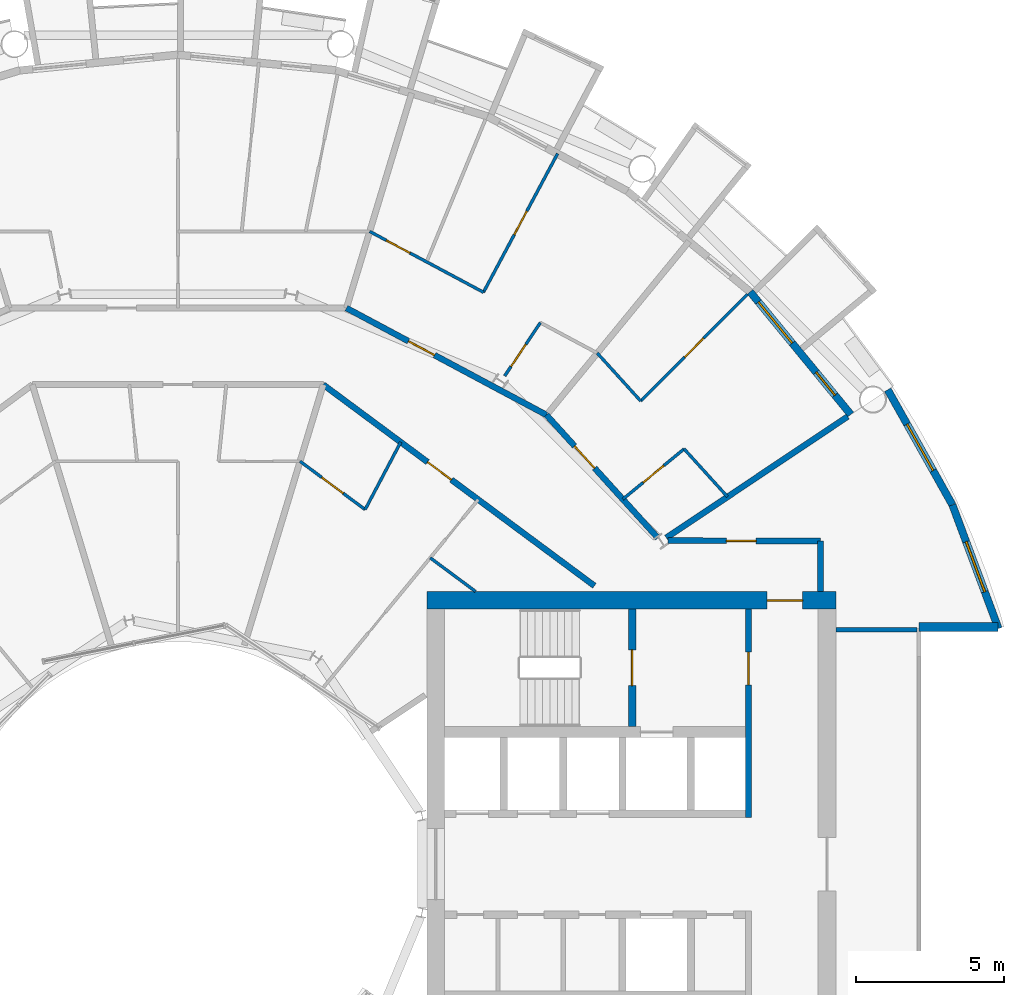
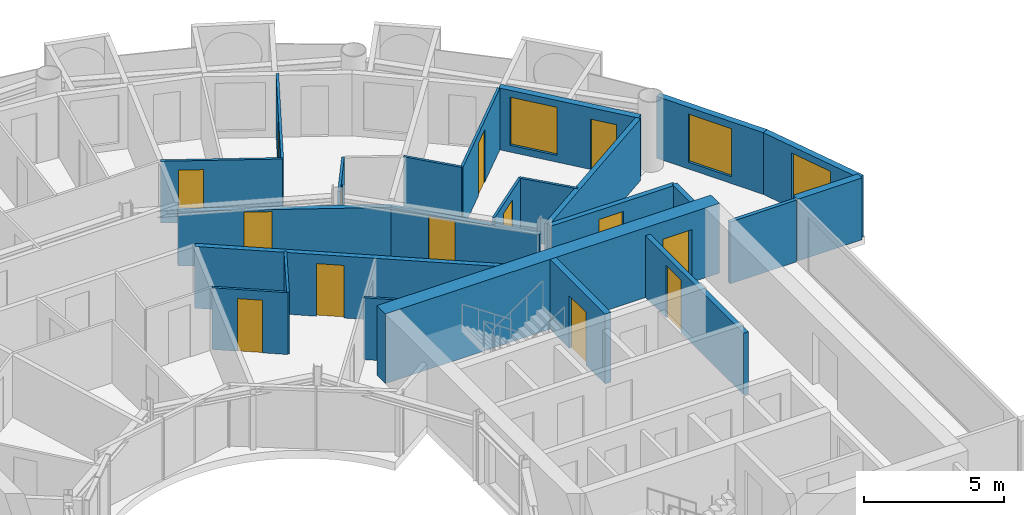
# One storey, part 22 of 27: 24 walls, 14 doors, 3 windows, 17 openings.
"""IFC4 building model written with IfcOpenShell, lengths in metres."""

import ifcopenshell
import ifcopenshell.guid

model = None  # the IFC model being written
_history = None  # IfcOwnerHistory: only IFC2X3 demands one
_inside = {}  # id of a spatial element -> (the spatial element, [elements in it])
_under = {}  # id of a project, library or spatial element -> (it, [spatial elements below it])
_declared = {}  # id of a project -> (the project, [libraries it declares])
_typed = {}  # id of a type object -> (the type object, [elements of that type])
_made_of = {}  # id of a material, layer set ... -> (it, [elements and type objects made of it])


def new_model(schema):
    """Start an empty IFC model of exactly this schema.

    Asked for "IFC4X3", IfcOpenShell would pick the latest addendum, in which some entities
    have other attributes; the version numbers below select the first issue.
    IFC2X3 requires an IfcOwnerHistory on every rooted entity: one is made here for all.
    """
    global model, _history
    if schema == "IFC4X3":
        model = ifcopenshell.file(schema_version=(4, 3, 0, 0))
    else:
        model = ifcopenshell.file(schema=schema)
    _inside.clear()
    _under.clear()
    _declared.clear()
    _typed.clear()
    _made_of.clear()
    _history = None
    if model.schema == "IFC2X3":
        org = make("IfcOrganization", Name="unknown")
        user = make(
            "IfcPersonAndOrganization",
            ThePerson=make("IfcPerson", FamilyName="unknown"),
            TheOrganization=org,
        )
        app = make(
            "IfcApplication",
            ApplicationDeveloper=org,
            Version="unknown",
            ApplicationFullName="unknown",
            ApplicationIdentifier="unknown",
        )
        _history = make(
            "IfcOwnerHistory",
            OwningUser=user,
            OwningApplication=app,
            ChangeAction="ADDED",
            CreationDate=0,
        )
    return model


def make(cls, **values):
    """One entity of the class cls with the attributes given. An attribute that is None is left unset."""
    return model.create_entity(
        cls, **{name: value for name, value in values.items() if value is not None}
    )


def rooted(cls, **values):
    """An entity with a GlobalId (a new one), such as an element, a storey or a relation."""
    return make(cls, GlobalId=ifcopenshell.guid.new(), OwnerHistory=_history, **values)


def si_unit(unit_type, name, prefix=None):
    """IfcSIUnit, for example si_unit("LENGTHUNIT", "METRE", prefix="MILLI")."""
    return make("IfcSIUnit", UnitType=unit_type, Prefix=prefix, Name=name)


def assignment(units):
    """IfcUnitAssignment: the units of a project."""
    return None if units is None else make("IfcUnitAssignment", Units=units)


def point(xyz):
    """IfcCartesianPoint."""
    return None if xyz is None else make("IfcCartesianPoint", Coordinates=xyz)


def direction(xyz):
    """IfcDirection."""
    return None if xyz is None else make("IfcDirection", DirectionRatios=xyz)


def frame(location, z_axis=None, x_axis=None):
    """IfcAxis2Placement3D, a coordinate frame: its origin and axes. An axis left out is left unset."""
    return make(
        "IfcAxis2Placement3D",
        Location=point(location),
        Axis=direction(z_axis),
        RefDirection=direction(x_axis),
    )


def frame_2d(location, x_axis=None):
    """IfcAxis2Placement2D, a coordinate frame in the plane: its origin and x axis."""
    return make(
        "IfcAxis2Placement2D", Location=point(location), RefDirection=direction(x_axis)
    )


def origin():
    """The frame at (0, 0, 0) with its axes left unset."""
    return frame((0.0, 0.0, 0.0))


def place(relative_to, where):
    """IfcLocalPlacement: puts the frame where relative to a parent placement (None: the world)."""
    return make(
        "IfcLocalPlacement", PlacementRelTo=relative_to, RelativePlacement=where
    )


def context(
    kind, dimensions, precision=None, world=None, true_north=None, identifier=None
):
    """IfcGeometricRepresentationContext, for example the 3D "Model" context."""
    return make(
        "IfcGeometricRepresentationContext",
        ContextIdentifier=identifier,
        ContextType=kind,
        CoordinateSpaceDimension=dimensions,
        Precision=precision,
        WorldCoordinateSystem=world,
        TrueNorth=true_north,
    )


def subcontext(parent, identifier, kind, view, scale=None):
    """IfcGeometricRepresentationSubContext, for example "Body" below "Model"."""
    return make(
        "IfcGeometricRepresentationSubContext",
        ContextIdentifier=identifier,
        ContextType=kind,
        ParentContext=parent,
        TargetScale=scale,
        TargetView=view,
    )


def project(units=None, contexts=None):
    """IfcProject with its units and contexts."""
    return rooted(
        "IfcProject",
        Name="project",
        RepresentationContexts=contexts,
        UnitsInContext=assignment(units),
    )


def spatial(cls, under=None, at=None, **own):
    """A site, building, storey or space (cls), placed at a placement, below another one or the project."""
    s = rooted(cls, ObjectPlacement=at, **own)
    if under is not None:
        _under.setdefault(under.id(), (under, []))[1].append(s)
    return s


def profile(cls, at=None, kind="AREA", **sizes):
    """A parametric profile (cls). Its sizes go by their IFC names, for example OverallWidth=200.0."""
    return make(cls, ProfileType=kind, Position=at, **sizes)


def rectangle(**sizes):
    """IfcRectangleProfileDef."""
    return profile("IfcRectangleProfileDef", **sizes)


def extrude(swept, where, along, depth):
    """IfcExtrudedAreaSolid: the profile swept, set in the frame where, extruded along a direction by depth."""
    return make(
        "IfcExtrudedAreaSolid",
        SweptArea=swept,
        Position=where,
        ExtrudedDirection=direction(along),
        Depth=depth,
    )


def shape(context_of_items, identifier, shape_type, items):
    """IfcShapeRepresentation: the items that make up one representation, for example the "Body"."""
    return make(
        "IfcShapeRepresentation",
        ContextOfItems=context_of_items,
        RepresentationIdentifier=identifier,
        RepresentationType=shape_type,
        Items=items,
    )


def material(Name=None, Category=None):
    """IfcMaterial."""
    return make("IfcMaterial", Name=Name, Category=Category)


def layer(
    of_material, thickness, ventilated=None, Name=None, Category=None, Priority=None
):
    """IfcMaterialLayer: one layer of a wall or slab, of a material (None: an air gap)."""
    return make(
        "IfcMaterialLayer",
        Material=of_material,
        LayerThickness=thickness,
        IsVentilated=ventilated,
        Name=Name,
        Category=Category,
        Priority=Priority,
    )


def layer_set(layers, Name=None):
    """IfcMaterialLayerSet."""
    return make("IfcMaterialLayerSet", MaterialLayers=layers, LayerSetName=Name)


def made_of(thing, what):
    """Note that an element or type object is made of a material, layer set ...; save() writes the relation."""
    if what is not None:
        _made_of.setdefault(what.id(), (what, []))[1].append(thing)
    return thing


def type_object(cls, material=None, **own):
    """A type object (cls), such as IfcWallType, which elements share."""
    return made_of(rooted(cls, **own), material)


def element(
    cls,
    number,
    at=None,
    inside=None,
    cuts=None,
    type_object=None,
    material=None,
    context=None,
    identifier="Body",
    shape_type=None,
    held_by="IfcProductDefinitionShape",
    body=None,
    shapes=None,
    **own,
):
    """One element of the class cls, such as IfcWall. Its Tag is "e" and its number.

    at: its placement. inside: the storey or other place that contains it. cuts: it is an
    opening in that element (IfcRelVoidsElement). A single representation is given by context,
    identifier, shape_type and body (its items); several are given by shapes. held_by: the class
    of the entity that holds the representations. save() writes the other relations.
    """
    e = rooted(cls, Tag="e%d" % number, ObjectPlacement=at, **own)
    if body is not None:
        shapes = [shape(context, identifier, shape_type, body)]
    if shapes is not None:
        e.Representation = make(held_by, Representations=shapes)
    if inside is not None:
        _inside.setdefault(inside.id(), (inside, []))[1].append(e)
    if cuts is not None:
        rooted(
            "IfcRelVoidsElement", RelatingBuildingElement=cuts, RelatedOpeningElement=e
        )
    if type_object is not None:
        _typed.setdefault(type_object.id(), (type_object, []))[1].append(e)
    return made_of(e, material)


def fill(opening, filler):
    """IfcRelFillsElement: the door or window that sits in an opening."""
    return rooted(
        "IfcRelFillsElement",
        RelatingOpeningElement=opening,
        RelatedBuildingElement=filler,
    )


def aggregate(whole, parts):
    """IfcRelAggregates: a whole, such as a stair, and the parts it consists of."""
    return rooted("IfcRelAggregates", RelatingObject=whole, RelatedObjects=parts)


def save(model, path):
    """Write the relations noted so far, then the file.

    IfcRelAggregates (storeys below a building ...), IfcRelContainedInSpatialStructure (elements
    in a storey), IfcRelDefinesByType, IfcRelAssociatesMaterial and IfcRelDeclares: one each for
    every whole, place, type object, material and project.
    """
    for whole, parts in _under.values():
        aggregate(whole, parts)
    for where, things in _inside.values():
        rooted(
            "IfcRelContainedInSpatialStructure",
            RelatedElements=things,
            RelatingStructure=where,
        )
    for kind, things in _typed.values():
        rooted("IfcRelDefinesByType", RelatedObjects=things, RelatingType=kind)
    for what, things in _made_of.values():
        rooted("IfcRelAssociatesMaterial", RelatedObjects=things, RelatingMaterial=what)
    for by, libraries in _declared.values():
        rooted("IfcRelDeclares", RelatingContext=by, RelatedDefinitions=libraries)
    model.write(path)


model = new_model("IFC4")

# Units and contexts
model_context = context("Model", 3, precision=1e-05, world=origin(), true_north=direction((0.0, 1.0)))
body_context = subcontext(model_context, "Body", "Model", "MODEL_VIEW")
ifc_project = project(units=[si_unit("LENGTHUNIT", "METRE"), si_unit("AREAUNIT", "SQUARE_METRE"), si_unit("VOLUMEUNIT", "CUBIC_METRE"), si_unit("PLANEANGLEUNIT", "RADIAN"), si_unit("MASSUNIT", "GRAM", prefix="KILO")], contexts=[model_context])

# Site, building, storey
site_placement = place(None, origin())
site = spatial("IfcSite", under=ifc_project, at=site_placement, CompositionType="ELEMENT")
building_placement = place(site_placement, origin())
building = spatial("IfcBuilding", under=site, at=building_placement, Name="Maasbend Ring Residences", CompositionType="ELEMENT")
storey_placement = place(building_placement, frame((0.0, 0.0, 120.800048828125)))
storey = spatial("IfcBuildingStorey", under=building, at=storey_placement, Name="L34", CompositionType="ELEMENT", Elevation=120.800048828125)

# Wall, opening, door
ifc_material_1 = material(Name="Concrete C60/75", Category="concrete")
ifc_layer_1 = layer(ifc_material_1, 0.25)
ifc_layer_set_1 = layer_set([ifc_layer_1], Name="Concrete C60/75")
wall_type_1 = type_object("IfcWallType", Name="CORE WALL 250 C60/75", PredefinedType="SHEAR", material=ifc_layer_set_1)
wall_1_placement = place(storey_placement, frame((15.324951171875, 4.64990234375, 0.0), z_axis=(0.0, 0.0, 1.0), x_axis=(0.0, 1.0, 0.0)))
wall_1 = element("IfcWall", 1, at=wall_1_placement, inside=storey, type_object=wall_type_1, Name="L34 core E wall STEN", PredefinedType="SHEAR", context=body_context, shape_type="SweptSolid", body=[
    extrude(rectangle(XDim=3.9501953125, YDim=0.25, at=frame_2d((1.97509765625, 0.0))), origin(), (0.0, 0.0, 1.0), 3.050048828125),
])
opening_1_placement = place(wall_1_placement, frame((1.375, 0.0, 0.0)))
opening_1 = element("IfcOpeningElement", 2, at=opening_1_placement, cuts=wall_1, Name="Opening D-E3411", PredefinedType="OPENING", context=body_context, shape_type="SweptSolid", body=[
    extrude(rectangle(XDim=1.199951171875, YDim=2.300048828125, at=frame_2d((0.60009765625, 1.14990234375))), frame((0.0, 0.135009765625, 0.0), z_axis=(0.0, -1.0, 0.0), x_axis=(1.0, 0.0, 0.0)), (0.0, 0.0, 1.0), 0.27001953125),
])
ifc_material_2 = material(Name="Steel, powder coated", Category="steel")
door_type_1 = type_object("IfcDoorType", Name="STAIR DOOR 1200 X 2300 FD60", OperationType="NOTDEFINED", PredefinedType="DOOR", material=ifc_material_2)
door_1_placement = place(opening_1_placement, origin())
door_1 = element("IfcDoor", 3, at=door_1_placement, inside=storey, type_object=door_type_1, Name="Stair door ST-E L34", OperationType="SINGLE_SWING_LEFT", OverallHeight=2.300048828125, OverallWidth=1.199951171875, PredefinedType="DOOR", context=body_context, shape_type="SweptSolid", body=[
    extrude(rectangle(XDim=1.199951171875, YDim=2.300048828125, at=frame_2d((0.60009765625, 1.14990234375))), frame((0.0, 0.02490234375, 0.0), z_axis=(0.0, -1.0, 0.0), x_axis=(1.0, 0.0, 0.0)), (0.0, 0.0, 1.0), 0.050048828125),
])
fill(opening_1, door_1)

ifc_material_3 = material(Name="Concrete C60/75", Category="concrete")
ifc_layer_2 = layer(ifc_material_3, 0.60009765625)
ifc_layer_set_2 = layer_set([ifc_layer_2], Name="Concrete C60/75")
wall_type_2 = type_object("IfcWallType", Name="CORE WALL 600 C60/75", PredefinedType="SHEAR", material=ifc_layer_set_2)
wall_2_placement = place(storey_placement, frame((22.199951171875, 8.89990234375, 0.0), z_axis=(0.0, 0.0, 1.0), x_axis=(-1.0, 0.0, 0.0)))
wall_2 = element("IfcWall", 4, at=wall_2_placement, inside=storey, type_object=wall_type_2, Name="L34 core E wall PN", PredefinedType="SHEAR", context=body_context, shape_type="SweptSolid", body=[
    extrude(rectangle(XDim=13.800048828125, YDim=0.60009765625, at=frame_2d((6.89990234375, 0.0))), origin(), (0.0, 0.0, 1.0), 3.050048828125),
])
opening_2_placement = place(wall_2_placement, frame((1.125, 0.0, 0.0)))
opening_2 = element("IfcOpeningElement", 5, at=opening_2_placement, cuts=wall_2, Name="Opening D-E3415", PredefinedType="OPENING", context=body_context, shape_type="SweptSolid", body=[
    extrude(rectangle(XDim=1.199951171875, YDim=2.300048828125, at=frame_2d((0.60009765625, 1.14990234375))), frame((0.0, 0.31005859375, 0.0), z_axis=(0.0, -1.0, 0.0), x_axis=(1.0, 0.0, 0.0)), (0.0, 0.0, 1.0), 0.6201171875),
])
ifc_material_4 = material(Name="Steel, powder coated", Category="steel")
door_type_2 = type_object("IfcDoorType", Name="CORRIDOR DOOR 1200 X 2300 FD30S", OperationType="NOTDEFINED", PredefinedType="DOOR", material=ifc_material_4)
door_2_placement = place(opening_2_placement, origin())
door_2 = element("IfcDoor", 6, at=door_2_placement, inside=storey, type_object=door_type_2, Name="Corridor door L34", OperationType="SINGLE_SWING_RIGHT", OverallHeight=2.300048828125, OverallWidth=1.199951171875, PredefinedType="DOOR", context=body_context, shape_type="SweptSolid", body=[
    extrude(rectangle(XDim=1.199951171875, YDim=2.300048828125, at=frame_2d((0.60009765625, 1.14990234375))), frame((0.0, 0.02490234375, 0.0), z_axis=(0.0, -1.0, 0.0), x_axis=(1.0, 0.0, 0.0)), (0.0, 0.0, 1.0), 0.050048828125),
])
fill(opening_2, door_2)

# Wall
ifc_material_5 = material(Name="Concrete C30/37", Category="concrete")
ifc_layer_3 = layer(ifc_material_5, 0.199951171875)
ifc_layer_set_3 = layer_set([ifc_layer_3], Name="Concrete C30/37")
wall_type_3 = type_object("IfcWallType", Name="CORRIDOR WALL 200 CONCRETE", PredefinedType="PARTITIONING", material=ifc_layer_set_3)
wall_3_placement = place(storey_placement, frame((21.675048828125, 9.199951171875, 0.0), z_axis=(0.0, 0.0, 1.0), x_axis=(0.0, 1.0, 0.0)))
element("IfcWall", 7, at=wall_3_placement, inside=storey, type_object=wall_type_3, Name="U-L34-w010", PredefinedType="PARTITIONING", context=body_context, shape_type="SweptSolid", body=[
    extrude(rectangle(XDim=1.699951171875, YDim=0.199951171875, at=frame_2d((0.85009765625, 0.0))), origin(), (0.0, 0.0, 1.0), 2.699951171875),
])

# Wall, opening, door
wall_4_placement = place(storey_placement, frame((16.541015625, 10.912109375, 0.0), z_axis=(0.0, 0.0, 1.0), x_axis=(0.999997173357, -0.002377662213, 0.0)))
wall_4 = element("IfcWall", 8, at=wall_4_placement, inside=storey, type_object=wall_type_3, Name="U-L34-w086", PredefinedType="PARTITIONING", context=body_context, shape_type="SweptSolid", body=[
    extrude(rectangle(XDim=5.134033203125, YDim=0.199951171875, at=frame_2d((2.56689453125, 0.0))), origin(), (0.0, 0.0, 1.0), 2.699951171875),
])
opening_3_placement = place(wall_4_placement, frame((1.962890625, 0.0, 0.0)))
opening_3 = element("IfcOpeningElement", 9, at=opening_3_placement, cuts=wall_4, Name="Opening D-3465", PredefinedType="OPENING", context=body_context, shape_type="SweptSolid", body=[
    extrude(rectangle(XDim=1.0, YDim=2.300048828125, at=frame_2d((0.5, 1.14990234375))), frame((0.0, 0.10986328125, 0.0), z_axis=(0.0, -1.0, 0.0), x_axis=(1.0, 0.0, 0.0)), (0.0, 0.0, 1.0), 0.219970703125),
])
ifc_material_6 = material(Name="Timber, painted", Category="wood")
door_type_3 = type_object("IfcDoorType", Name="ROOM DOOR 1000 X 2300", OperationType="NOTDEFINED", PredefinedType="DOOR", material=ifc_material_6)
door_3_placement = place(opening_3_placement, origin())
door_3 = element("IfcDoor", 10, at=door_3_placement, inside=storey, type_object=door_type_3, Name="D-3465", OperationType="SINGLE_SWING_LEFT", OverallHeight=2.300048828125, OverallWidth=1.0, PredefinedType="DOOR", context=body_context, shape_type="SweptSolid", body=[
    extrude(rectangle(XDim=1.0, YDim=2.300048828125, at=frame_2d((0.5, 1.14990234375))), frame((0.0, 0.02490234375, 0.0), z_axis=(0.0, -1.0, 0.0), x_axis=(1.0, 0.0, 0.0)), (0.0, 0.0, 1.0), 0.050048828125),
])
fill(opening_3, door_3)

wall_5_placement = place(storey_placement, frame((4.906005859375, 16.172119140625, 0.0), z_axis=(0.0, 0.0, 1.0), x_axis=(0.803204584823, -0.59570327758, 0.0)))
wall_5 = element("IfcWall", 11, at=wall_5_placement, inside=storey, type_object=wall_type_3, Name="U-L34-w094", PredefinedType="PARTITIONING", context=body_context, shape_type="SweptSolid", body=[
    extrude(rectangle(XDim=11.386962890625, YDim=0.199951171875, at=frame_2d((5.693359375, 0.0))), origin(), (0.0, 0.0, 1.0), 2.699951171875),
])
opening_4_placement = place(wall_5_placement, frame((4.3798828125, 0.0, 0.0)))
opening_4 = element("IfcOpeningElement", 12, at=opening_4_placement, cuts=wall_5, Name="Opening D-3421", PredefinedType="OPENING", context=body_context, shape_type="SweptSolid", body=[
    extrude(rectangle(XDim=1.0, YDim=2.300048828125, at=frame_2d((0.5, 1.14990234375))), frame((0.0, 0.10986328125, 0.0), z_axis=(0.0, -1.0, 0.0), x_axis=(1.0, 0.0, 0.0)), (0.0, 0.0, 1.0), 0.219970703125),
])
ifc_material_7 = material(Name="Timber, fire-rated, painted", Category="wood")
door_type_4 = type_object("IfcDoorType", Name="FLAT ENTRANCE DOOR 1000 X 2300 FIRE-RATED", OperationType="NOTDEFINED", PredefinedType="DOOR", material=ifc_material_7)
door_4_placement = place(opening_4_placement, origin())
door_4 = element("IfcDoor", 13, at=door_4_placement, inside=storey, type_object=door_type_4, Name="D-3421", OperationType="SINGLE_SWING_LEFT", OverallHeight=2.300048828125, OverallWidth=1.0, PredefinedType="DOOR", context=body_context, shape_type="SweptSolid", body=[
    extrude(rectangle(XDim=1.0, YDim=2.300048828125, at=frame_2d((0.5, 1.14990234375))), frame((0.0, 0.02490234375, 0.0), z_axis=(0.0, -1.0, 0.0), x_axis=(1.0, 0.0, 0.0)), (0.0, 0.0, 1.0), 0.050048828125),
])
fill(opening_4, door_4)

wall_6_placement = place(storey_placement, frame((5.68701171875, 18.757080078125, 0.0), z_axis=(0.0, 0.0, 1.0), x_axis=(0.8819312112, -0.471378127104, 0.0)))
wall_6 = element("IfcWall", 14, at=wall_6_placement, inside=storey, type_object=wall_type_3, Name="U-L34-w098", PredefinedType="PARTITIONING", context=body_context, shape_type="SweptSolid", body=[
    extrude(rectangle(XDim=7.650390625, YDim=0.199951171875, at=frame_2d((3.8251953125, 0.0))), origin(), (0.0, 0.0, 1.0), 2.389892578125),
])
opening_5_placement = place(wall_6_placement, frame((2.37109375, 0.0, 0.0)))
opening_5 = element("IfcOpeningElement", 15, at=opening_5_placement, cuts=wall_6, Name="Opening D-3404", PredefinedType="OPENING", context=body_context, shape_type="SweptSolid", body=[
    extrude(rectangle(XDim=1.0, YDim=2.300048828125, at=frame_2d((0.5, 1.14990234375))), frame((0.0, 0.10986328125, 0.0), z_axis=(0.0, -1.0, 0.0), x_axis=(1.0, 0.0, 0.0)), (0.0, 0.0, 1.0), 0.219970703125),
])
door_5_placement = place(opening_5_placement, origin())
door_5 = element("IfcDoor", 16, at=door_5_placement, inside=storey, type_object=door_type_4, Name="D-3404", OperationType="SINGLE_SWING_LEFT", OverallHeight=2.300048828125, OverallWidth=1.0, PredefinedType="DOOR", context=body_context, shape_type="SweptSolid", body=[
    extrude(rectangle(XDim=1.0, YDim=2.300048828125, at=frame_2d((0.5, 1.14990234375))), frame((0.0, 0.02490234375, 0.0), z_axis=(0.0, -1.0, 0.0), x_axis=(1.0, 0.0, 0.0)), (0.0, 0.0, 1.0), 0.050048828125),
])
fill(opening_5, door_5)

wall_7_placement = place(storey_placement, frame((12.43408203125, 15.15087890625, 0.0), z_axis=(0.0, 0.0, 1.0), x_axis=(0.671481997275, -0.741020868354, 0.0)))
wall_7 = element("IfcWall", 17, at=wall_7_placement, inside=storey, type_object=wall_type_3, Name="U-L34-w100", PredefinedType="PARTITIONING", context=body_context, shape_type="SweptSolid", body=[
    extrude(rectangle(XDim=5.59619140625, YDim=0.199951171875, at=frame_2d((2.798095703125, 0.0))), origin(), (0.0, 0.0, 1.0), 2.389892578125),
])
opening_6_placement = place(wall_7_placement, frame((1.4169921875, 0.0, 0.0)))
opening_6 = element("IfcOpeningElement", 18, at=opening_6_placement, cuts=wall_7, Name="Opening D-3401", PredefinedType="OPENING", context=body_context, shape_type="SweptSolid", body=[
    extrude(rectangle(XDim=1.0, YDim=2.300048828125, at=frame_2d((0.5, 1.14990234375))), frame((0.0, 0.10986328125, 0.0), z_axis=(0.0, -1.0, 0.0), x_axis=(1.0, 0.0, 0.0)), (0.0, 0.0, 1.0), 0.219970703125),
])
door_6_placement = place(opening_6_placement, origin())
door_6 = element("IfcDoor", 19, at=door_6_placement, inside=storey, type_object=door_type_4, Name="D-3401", OperationType="SINGLE_SWING_LEFT", OverallHeight=2.300048828125, OverallWidth=1.0, PredefinedType="DOOR", context=body_context, shape_type="SweptSolid", body=[
    extrude(rectangle(XDim=1.0, YDim=2.300048828125, at=frame_2d((0.5, 1.14990234375))), frame((0.0, 0.02490234375, 0.0), z_axis=(0.0, -1.0, 0.0), x_axis=(1.0, 0.0, 0.0)), (0.0, 0.0, 1.0), 0.050048828125),
])
fill(opening_6, door_6)

# Wall, openings, door, window
ifc_material_8 = material(Name="Aluminium clad insulated panel", Category="aluminium")
ifc_layer_4 = layer(ifc_material_8, 0.25)
ifc_layer_set_4 = layer_set([ifc_layer_4], Name="EW-GL")
wall_type_4 = type_object("IfcWallType", Name="EW-GL", PredefinedType="SOLIDWALL", material=ifc_layer_set_4)
wall_8_placement = place(storey_placement, frame((22.698974609375, 15.1669921875, 0.0), z_axis=(0.0, 0.0, 1.0), x_axis=(-0.634382322723, 0.773019449054, 0.0)))
wall_8 = element("IfcWall", 20, at=wall_8_placement, inside=storey, type_object=wall_type_4, Name="External wall N01", PredefinedType="SOLIDWALL", context=body_context, shape_type="SweptSolid", body=[
    extrude(rectangle(XDim=5.351806640625, YDim=0.25, at=frame_2d((2.67578125, 0.0))), origin(), (0.0, 0.0, 1.0), 2.699951171875),
])
opening_7_placement = place(wall_8_placement, frame((0.841064453125, 0.0, 0.0)))
opening_7 = element("IfcOpeningElement", 21, at=opening_7_placement, cuts=wall_8, Name="Opening D-LG", PredefinedType="OPENING", context=body_context, shape_type="SweptSolid", body=[
    extrude(rectangle(XDim=1.0, YDim=2.199951171875, at=frame_2d((0.5, 1.10009765625))), frame((0.0, 0.135009765625, 0.0), z_axis=(0.0, -1.0, 0.0), x_axis=(1.0, 0.0, 0.0)), (0.0, 0.0, 1.0), 0.27001953125),
])
opening_8_placement = place(wall_8_placement, frame((3.110595703125, 0.0, 0.300048828125)))
opening_8 = element("IfcOpeningElement", 22, at=opening_8_placement, cuts=wall_8, Name="Opening W-BX", PredefinedType="OPENING", context=body_context, shape_type="SweptSolid", body=[
    extrude(rectangle(XDim=1.800048828125, YDim=2.10009765625, at=frame_2d((0.89990234375, 1.050048828125))), frame((0.0, 0.135009765625, 0.0), z_axis=(0.0, -1.0, 0.0), x_axis=(1.0, 0.0, 0.0)), (0.0, 0.0, 1.0), 0.27001953125),
])
ifc_material_9 = material(Name="Aluminium and clear glass", Category="aluminium")
door_type_5 = type_object("IfcDoorType", Name="D-LG", OperationType="SINGLE_SWING_LEFT", PredefinedType="DOOR", material=ifc_material_9)
door_7_placement = place(opening_7_placement, origin())
door_7 = element("IfcDoor", 23, at=door_7_placement, inside=storey, type_object=door_type_5, Name="Loggia door N01", OperationType="SINGLE_SWING_LEFT", OverallHeight=2.199951171875, OverallWidth=1.0, PredefinedType="DOOR", context=body_context, shape_type="SweptSolid", body=[
    extrude(rectangle(XDim=1.0, YDim=2.199951171875, at=frame_2d((0.5, 1.10009765625))), frame((0.0, 0.02490234375, 0.0), z_axis=(0.0, -1.0, 0.0), x_axis=(1.0, 0.0, 0.0)), (0.0, 0.0, 1.0), 0.050048828125),
])
fill(opening_7, door_7)
ifc_material_10 = material(Name="Aluminium and clear glass", Category="aluminium")
window_type = type_object("IfcWindowType", Name="W-BX", PartitioningType="DOUBLE_PANEL_VERTICAL", PredefinedType="WINDOW", material=ifc_material_10)
window_1_placement = place(opening_8_placement, origin())
window_1 = element("IfcWindow", 24, at=window_1_placement, inside=storey, type_object=window_type, Name="Window N02 room to box", OverallHeight=2.10009765625, OverallWidth=1.800048828125, PartitioningType="SINGLE_PANEL", PredefinedType="WINDOW", context=body_context, shape_type="SweptSolid", body=[
    extrude(rectangle(XDim=1.800048828125, YDim=2.10009765625, at=frame_2d((0.89990234375, 1.050048828125))), frame((0.0, 0.030029296875, 0.0), z_axis=(0.0, -1.0, 0.0), x_axis=(1.0, 0.0, 0.0)), (0.0, 0.0, 1.0), 0.06005859375),
])
fill(opening_8, window_1)

# Wall, opening, window
ifc_material_11 = material(Name="Aluminium clad insulated panel", Category="aluminium")
ifc_layer_5 = layer(ifc_material_11, 0.25)
ifc_layer_set_5 = layer_set([ifc_layer_5], Name="EW-HORN")
wall_type_5 = type_object("IfcWallType", Name="EW-HORN", PredefinedType="SOLIDWALL", material=ifc_layer_set_5)
wall_9_placement = place(storey_placement, frame((27.681884765625, 7.945068359375, 0.0), z_axis=(0.0, 0.0, 1.0), x_axis=(-0.349247811493, 0.937030397675, 0.0)))
wall_9 = element("IfcWall", 25, at=wall_9_placement, inside=storey, type_object=wall_type_5, Name="Horn wall 1.1", PredefinedType="SOLIDWALL", context=body_context, shape_type="SweptSolid", body=[
    extrude(rectangle(XDim=4.4521484375, YDim=0.25, at=frame_2d((2.22607421875, 0.0))), origin(), (0.0, 0.0, 1.0), 2.699951171875),
])
opening_9_placement = place(wall_9_placement, frame((1.32666015625, 0.0, 0.300048828125)))
opening_9 = element("IfcOpeningElement", 26, at=opening_9_placement, cuts=wall_9, Name="Opening W-BX", PredefinedType="OPENING", context=body_context, shape_type="SweptSolid", body=[
    extrude(rectangle(XDim=1.800048828125, YDim=2.10009765625, at=frame_2d((0.89990234375, 1.050048828125))), frame((0.0, 0.135009765625, 0.0), z_axis=(0.0, -1.0, 0.0), x_axis=(1.0, 0.0, 0.0)), (0.0, 0.0, 1.0), 0.27001953125),
])
window_2_placement = place(opening_9_placement, origin())
window_2 = element("IfcWindow", 27, at=window_2_placement, inside=storey, type_object=window_type, Name="Horn window 1.1", OverallHeight=2.10009765625, OverallWidth=1.800048828125, PartitioningType="SINGLE_PANEL", PredefinedType="WINDOW", context=body_context, shape_type="SweptSolid", body=[
    extrude(rectangle(XDim=1.800048828125, YDim=2.10009765625, at=frame_2d((0.89990234375, 1.050048828125))), frame((0.0, 0.030029296875, 0.0), z_axis=(0.0, -1.0, 0.0), x_axis=(1.0, 0.0, 0.0)), (0.0, 0.0, 1.0), 0.06005859375),
])
fill(opening_9, window_2)

wall_10_placement = place(storey_placement, frame((26.126953125, 12.116943359375, 0.0), z_axis=(0.0, 0.0, 1.0), x_axis=(-0.489696356642, 0.871893042919, 0.0)))
wall_10 = element("IfcWall", 28, at=wall_10_placement, inside=storey, type_object=wall_type_5, Name="Horn wall 1.2", PredefinedType="SOLIDWALL", context=body_context, shape_type="SweptSolid", body=[
    extrude(rectangle(XDim=4.45361328125, YDim=0.25, at=frame_2d((2.226806640625, 0.0))), origin(), (0.0, 0.0, 1.0), 2.699951171875),
])
opening_10_placement = place(wall_10_placement, frame((1.32666015625, 0.0, 0.300048828125)))
opening_10 = element("IfcOpeningElement", 29, at=opening_10_placement, cuts=wall_10, Name="Opening W-BX", PredefinedType="OPENING", context=body_context, shape_type="SweptSolid", body=[
    extrude(rectangle(XDim=1.800048828125, YDim=2.10009765625, at=frame_2d((0.89990234375, 1.050048828125))), frame((0.0, 0.135009765625, 0.0), z_axis=(0.0, -1.0, 0.0), x_axis=(1.0, 0.0, 0.0)), (0.0, 0.0, 1.0), 0.27001953125),
])
window_3_placement = place(opening_10_placement, origin())
window_3 = element("IfcWindow", 30, at=window_3_placement, inside=storey, type_object=window_type, Name="Horn window 1.2", OverallHeight=2.10009765625, OverallWidth=1.800048828125, PartitioningType="SINGLE_PANEL", PredefinedType="WINDOW", context=body_context, shape_type="SweptSolid", body=[
    extrude(rectangle(XDim=1.800048828125, YDim=2.10009765625, at=frame_2d((0.89990234375, 1.050048828125))), frame((0.0, 0.030029296875, 0.0), z_axis=(0.0, -1.0, 0.0), x_axis=(1.0, 0.0, 0.0)), (0.0, 0.0, 1.0), 0.06005859375),
])
fill(opening_10, window_3)

# Walls
ifc_material_12 = material(Name="Aluminium clad insulated panel", Category="aluminium")
ifc_layer_6 = layer(ifc_material_12, 0.300048828125)
ifc_layer_set_6 = layer_set([ifc_layer_6], Name="EW-RET")
wall_type_6 = type_object("IfcWallType", Name="EW-RET", PredefinedType="SOLIDWALL", material=ifc_layer_set_6)
wall_11_placement = place(storey_placement, frame((25.0, 8.0, 0.0), z_axis=(0.0, 0.0, 1.0), x_axis=(1.0, 0.0, 0.0)))
element("IfcWall", 31, at=wall_11_placement, inside=storey, type_object=wall_type_6, Name="Notch return wall east north", PredefinedType="SOLIDWALL", context=body_context, shape_type="SweptSolid", body=[
    extrude(rectangle(XDim=2.6669921875, YDim=0.300048828125, at=frame_2d((1.33349609375, 0.0))), origin(), (0.0, 0.0, 1.0), 2.699951171875),
])
ifc_material_13 = material(Name="Gypsum board on steel studs", Category="steel")
ifc_layer_7 = layer(ifc_material_13, 0.10009765625)
ifc_layer_set_7 = layer_set([ifc_layer_7], Name="PARTITION 100 GYPSUM")
wall_type_7 = type_object("IfcWallType", Name="PARTITION 100 GYPSUM", PredefinedType="PARTITIONING", material=ifc_layer_set_7)
wall_12_placement = place(storey_placement, frame((6.318115234375, 11.9599609375, 0.0), z_axis=(0.0, 0.0, 1.0), x_axis=(0.467001992543, 0.884256263173, 0.0)))
element("IfcWall", 32, at=wall_12_placement, inside=storey, type_object=wall_type_7, Name="U-L34-w068", PredefinedType="PARTITIONING", context=body_context, shape_type="SweptSolid", body=[
    extrude(rectangle(XDim=2.571533203125, YDim=0.10009765625, at=frame_2d((1.28564453125, 0.0))), origin(), (0.0, 0.0, 1.0), 2.699951171875),
])

# Wall, opening, door
wall_13_placement = place(storey_placement, frame((10.31005859375, 19.2890625, 0.0), z_axis=(0.0, 0.0, 1.0), x_axis=(0.47140999111, 0.881914179658, 0.0)))
wall_13 = element("IfcWall", 33, at=wall_13_placement, inside=storey, type_object=wall_type_7, Name="U-L34-w071", PredefinedType="PARTITIONING", context=body_context, shape_type="SweptSolid", body=[
    extrude(rectangle(XDim=5.30322265625, YDim=0.10009765625, at=frame_2d((2.651611328125, 0.0))), origin(), (0.0, 0.0, 1.0), 2.699951171875),
])
opening_11_placement = place(wall_13_placement, frame((2.201904296875, 0.0, 0.0)))
opening_11 = element("IfcOpeningElement", 34, at=opening_11_placement, cuts=wall_13, Name="Opening D-3406", PredefinedType="OPENING", context=body_context, shape_type="SweptSolid", body=[
    extrude(rectangle(XDim=0.89990234375, YDim=2.300048828125, at=frame_2d((0.449951171875, 1.14990234375))), frame((0.0, 0.06005859375, 0.0), z_axis=(0.0, -1.0, 0.0), x_axis=(1.0, 0.0, 0.0)), (0.0, 0.0, 1.0), 0.1201171875),
])
ifc_material_14 = material(Name="Timber, painted", Category="wood")
door_type_6 = type_object("IfcDoorType", Name="INTERNAL DOOR 900 X 2300", OperationType="NOTDEFINED", PredefinedType="DOOR", material=ifc_material_14)
door_8_placement = place(opening_11_placement, origin())
door_8 = element("IfcDoor", 35, at=door_8_placement, inside=storey, type_object=door_type_6, Name="D-3406", OperationType="SINGLE_SWING_RIGHT", OverallHeight=2.300048828125, OverallWidth=0.89990234375, PredefinedType="DOOR", context=body_context, shape_type="SweptSolid", body=[
    extrude(rectangle(XDim=0.89990234375, YDim=2.300048828125, at=frame_2d((0.449951171875, 1.14990234375))), frame((0.0, 0.02490234375, 0.0), z_axis=(0.0, -1.0, 0.0), x_axis=(1.0, 0.0, 0.0)), (0.0, 0.0, 1.0), 0.050048828125),
])
fill(opening_11, door_8)

wall_14_placement = place(storey_placement, frame((11.02490234375, 16.466064453125, 0.0), z_axis=(0.0, 0.0, 1.0), x_axis=(0.556469477731, 0.830868052313, 0.0)))
wall_14 = element("IfcWall", 36, at=wall_14_placement, inside=storey, type_object=wall_type_7, Name="U-L34-w074", PredefinedType="PARTITIONING", context=body_context, shape_type="SweptSolid", body=[
    extrude(rectangle(XDim=2.163818359375, YDim=0.10009765625, at=frame_2d((1.08203125, 0.0))), origin(), (0.0, 0.0, 1.0), 2.699951171875),
])
opening_12_placement = place(wall_14_placement, frame((0.383056640625, 0.0, 0.0)))
opening_12 = element("IfcOpeningElement", 37, at=opening_12_placement, cuts=wall_14, Name="Opening D-3405", PredefinedType="OPENING", context=body_context, shape_type="SweptSolid", body=[
    extrude(rectangle(XDim=0.89990234375, YDim=2.300048828125, at=frame_2d((0.449951171875, 1.14990234375))), frame((0.0, 0.06005859375, 0.0), z_axis=(0.0, -1.0, 0.0), x_axis=(1.0, 0.0, 0.0)), (0.0, 0.0, 1.0), 0.1201171875),
])
door_9_placement = place(opening_12_placement, origin())
door_9 = element("IfcDoor", 38, at=door_9_placement, inside=storey, type_object=door_type_6, Name="D-3405", OperationType="SINGLE_SWING_LEFT", OverallHeight=2.300048828125, OverallWidth=0.89990234375, PredefinedType="DOOR", context=body_context, shape_type="SweptSolid", body=[
    extrude(rectangle(XDim=0.89990234375, YDim=2.300048828125, at=frame_2d((0.449951171875, 1.14990234375))), frame((0.0, 0.02490234375, 0.0), z_axis=(0.0, -1.0, 0.0), x_axis=(1.0, 0.0, 0.0)), (0.0, 0.0, 1.0), 0.050048828125),
])
fill(opening_12, door_9)

wall_15_placement = place(storey_placement, frame((15.010009765625, 12.30908203125, 0.0), z_axis=(0.0, 0.0, 1.0), x_axis=(0.773240932873, 0.634112339992, 0.0)))
wall_15 = element("IfcWall", 39, at=wall_15_placement, inside=storey, type_object=wall_type_7, Name="U-L34-w077", PredefinedType="PARTITIONING", context=body_context, shape_type="SweptSolid", body=[
    extrude(rectangle(XDim=2.67431640625, YDim=0.10009765625, at=frame_2d((1.337158203125, 0.0))), origin(), (0.0, 0.0, 1.0), 2.699951171875),
])
opening_13_placement = place(wall_15_placement, frame((0.886962890625, 0.0, 0.0)))
opening_13 = element("IfcOpeningElement", 40, at=opening_13_placement, cuts=wall_15, Name="Opening D-3402", PredefinedType="OPENING", context=body_context, shape_type="SweptSolid", body=[
    extrude(rectangle(XDim=0.89990234375, YDim=2.300048828125, at=frame_2d((0.449951171875, 1.14990234375))), frame((0.0, 0.06005859375, 0.0), z_axis=(0.0, -1.0, 0.0), x_axis=(1.0, 0.0, 0.0)), (0.0, 0.0, 1.0), 0.1201171875),
])
door_10_placement = place(opening_13_placement, origin())
door_10 = element("IfcDoor", 41, at=door_10_placement, inside=storey, type_object=door_type_6, Name="D-3402", OperationType="SINGLE_SWING_LEFT", OverallHeight=2.300048828125, OverallWidth=0.89990234375, PredefinedType="DOOR", context=body_context, shape_type="SweptSolid", body=[
    extrude(rectangle(XDim=0.89990234375, YDim=2.300048828125, at=frame_2d((0.449951171875, 1.14990234375))), frame((0.0, 0.02490234375, 0.0), z_axis=(0.0, -1.0, 0.0), x_axis=(1.0, 0.0, 0.0)), (0.0, 0.0, 1.0), 0.050048828125),
])
fill(opening_13, door_10)

wall_16_placement = place(storey_placement, frame((15.613037109375, 15.62109375, 0.0), z_axis=(0.0, 0.0, 1.0), x_axis=(0.706914880313, 0.707298629994, 0.0)))
wall_16 = element("IfcWall", 42, at=wall_16_placement, inside=storey, type_object=wall_type_7, Name="U-L34-w079", PredefinedType="PARTITIONING", context=body_context, shape_type="SweptSolid", body=[
    extrude(rectangle(XDim=5.089599609375, YDim=0.10009765625, at=frame_2d((2.544921875, 0.0))), origin(), (0.0, 0.0, 1.0), 2.699951171875),
])
opening_14_placement = place(wall_16_placement, frame((2.094970703125, 0.0, 0.0)))
opening_14 = element("IfcOpeningElement", 43, at=opening_14_placement, cuts=wall_16, Name="Opening D-3403", PredefinedType="OPENING", context=body_context, shape_type="SweptSolid", body=[
    extrude(rectangle(XDim=0.89990234375, YDim=2.300048828125, at=frame_2d((0.449951171875, 1.14990234375))), frame((0.0, 0.06005859375, 0.0), z_axis=(0.0, -1.0, 0.0), x_axis=(1.0, 0.0, 0.0)), (0.0, 0.0, 1.0), 0.1201171875),
])
door_11_placement = place(opening_14_placement, origin())
door_11 = element("IfcDoor", 44, at=door_11_placement, inside=storey, type_object=door_type_6, Name="D-3403", OperationType="SINGLE_SWING_RIGHT", OverallHeight=2.300048828125, OverallWidth=0.89990234375, PredefinedType="DOOR", context=body_context, shape_type="SweptSolid", body=[
    extrude(rectangle(XDim=0.89990234375, YDim=2.300048828125, at=frame_2d((0.449951171875, 1.14990234375))), frame((0.0, 0.02490234375, 0.0), z_axis=(0.0, -1.0, 0.0), x_axis=(1.0, 0.0, 0.0)), (0.0, 0.0, 1.0), 0.050048828125),
])
fill(opening_14, door_11)

wall_17_placement = place(storey_placement, frame((4.1220703125, 13.589111328125, 0.0), z_axis=(0.0, 0.0, 1.0), x_axis=(0.803128348509, -0.595806055542, 0.0)))
wall_17 = element("IfcWall", 45, at=wall_17_placement, inside=storey, type_object=wall_type_7, Name="U-L34-w089", PredefinedType="PARTITIONING", context=body_context, shape_type="SweptSolid", body=[
    extrude(rectangle(XDim=2.734375, YDim=0.10009765625, at=frame_2d((1.3671875, 0.0))), origin(), (0.0, 0.0, 1.0), 2.699951171875),
])
opening_15_placement = place(wall_17_placement, frame((0.9169921875, 0.0, 0.0)))
opening_15 = element("IfcOpeningElement", 46, at=opening_15_placement, cuts=wall_17, Name="Opening D-3422", PredefinedType="OPENING", context=body_context, shape_type="SweptSolid", body=[
    extrude(rectangle(XDim=0.89990234375, YDim=2.300048828125, at=frame_2d((0.449951171875, 1.14990234375))), frame((0.0, 0.06005859375, 0.0), z_axis=(0.0, -1.0, 0.0), x_axis=(1.0, 0.0, 0.0)), (0.0, 0.0, 1.0), 0.1201171875),
])
door_12_placement = place(opening_15_placement, origin())
door_12 = element("IfcDoor", 47, at=door_12_placement, inside=storey, type_object=door_type_6, Name="D-3422", OperationType="SINGLE_SWING_LEFT", OverallHeight=2.300048828125, OverallWidth=0.89990234375, PredefinedType="DOOR", context=body_context, shape_type="SweptSolid", body=[
    extrude(rectangle(XDim=0.89990234375, YDim=2.300048828125, at=frame_2d((0.449951171875, 1.14990234375))), frame((0.0, 0.02490234375, 0.0), z_axis=(0.0, -1.0, 0.0), x_axis=(1.0, 0.0, 0.0)), (0.0, 0.0, 1.0), 0.050048828125),
])
fill(opening_15, door_12)

# Wall
wall_18_placement = place(storey_placement, frame((8.512939453125, 10.33203125, 0.0), z_axis=(0.0, 0.0, 1.0), x_axis=(0.803149591038, -0.595777420196, 0.0)))
element("IfcWall", 48, at=wall_18_placement, inside=storey, type_object=wall_type_7, Name="U-L34-w090", PredefinedType="PARTITIONING", context=body_context, shape_type="SweptSolid", body=[
    extrude(rectangle(XDim=1.900146484375, YDim=0.10009765625, at=frame_2d((0.9501953125, 0.0))), origin(), (0.0, 0.0, 1.0), 2.699951171875),
])

# Wall, opening, door
wall_19_placement = place(storey_placement, frame((6.470947265625, 21.341064453125, 0.0), z_axis=(0.0, 0.0, 1.0), x_axis=(0.881932070463, -0.471376519451, 0.0)))
wall_19 = element("IfcWall", 49, at=wall_19_placement, inside=storey, type_object=wall_type_7, Name="U-L34-w107", PredefinedType="PARTITIONING", context=body_context, shape_type="SweptSolid", body=[
    extrude(rectangle(XDim=4.355224609375, YDim=0.10009765625, at=frame_2d((2.177734375, 0.0))), origin(), (0.0, 0.0, 1.0), 2.699951171875),
])
opening_16_placement = place(wall_19_placement, frame((0.638916015625, 0.0, 0.0)))
opening_16 = element("IfcOpeningElement", 50, at=opening_16_placement, cuts=wall_19, Name="Opening D-3407", PredefinedType="OPENING", context=body_context, shape_type="SweptSolid", body=[
    extrude(rectangle(XDim=0.89990234375, YDim=2.300048828125, at=frame_2d((0.449951171875, 1.14990234375))), frame((0.0, 0.06005859375, 0.0), z_axis=(0.0, -1.0, 0.0), x_axis=(1.0, 0.0, 0.0)), (0.0, 0.0, 1.0), 0.1201171875),
])
door_13_placement = place(opening_16_placement, origin())
door_13 = element("IfcDoor", 51, at=door_13_placement, inside=storey, type_object=door_type_6, Name="D-3407", OperationType="SINGLE_SWING_LEFT", OverallHeight=2.300048828125, OverallWidth=0.89990234375, PredefinedType="DOOR", context=body_context, shape_type="SweptSolid", body=[
    extrude(rectangle(XDim=0.89990234375, YDim=2.300048828125, at=frame_2d((0.449951171875, 1.14990234375))), frame((0.0, 0.02490234375, 0.0), z_axis=(0.0, -1.0, 0.0), x_axis=(1.0, 0.0, 0.0)), (0.0, 0.0, 1.0), 0.050048828125),
])
fill(opening_16, door_13)

# Walls
wall_20_placement = place(storey_placement, frame((14.14697265625, 17.238037109375, 0.0), z_axis=(0.0, 0.0, 1.0), x_axis=(0.671674967707, -0.740845960882, 0.0)))
element("IfcWall", 52, at=wall_20_placement, inside=storey, type_object=wall_type_7, Name="U-L34-w111", PredefinedType="PARTITIONING", context=body_context, shape_type="SweptSolid", body=[
    extrude(rectangle(XDim=2.18115234375, YDim=0.10009765625, at=frame_2d((1.090576171875, 0.0))), origin(), (0.0, 0.0, 1.0), 2.699951171875),
])
wall_21_placement = place(storey_placement, frame((17.072021484375, 14.010986328125, 0.0), z_axis=(0.0, 0.0, 1.0), x_axis=(0.67169789574, -0.740825172937, 0.0)))
element("IfcWall", 53, at=wall_21_placement, inside=storey, type_object=wall_type_7, Name="U-L34-w112", PredefinedType="PARTITIONING", context=body_context, shape_type="SweptSolid", body=[
    extrude(rectangle(XDim=2.1826171875, YDim=0.10009765625, at=frame_2d((1.09130859375, 0.0))), origin(), (0.0, 0.0, 1.0), 2.699951171875),
])
ifc_material_15 = material(Name="Gypsum board on steel studs", Category="steel")
ifc_layer_8 = layer(ifc_material_15, 0.14990234375)
ifc_layer_set_8 = layer_set([ifc_layer_8], Name="PARTITION 150 EI 60")
wall_type_8 = type_object("IfcWallType", Name="PARTITION 150 EI 60", PredefinedType="PARTITIONING", material=ifc_layer_set_8)
wall_22_placement = place(storey_placement, frame((22.199951171875, 7.89990234375, 0.0), z_axis=(0.0, 0.0, 1.0), x_axis=(1.0, 0.0, 0.0)))
element("IfcWall", 54, at=wall_22_placement, inside=storey, type_object=wall_type_8, Name="L34 core E wall CITN", PredefinedType="PARTITIONING", context=body_context, shape_type="SweptSolid", body=[
    extrude(rectangle(XDim=2.739990234375, YDim=0.14990234375, at=frame_2d((1.3701171875, 0.0))), origin(), (0.0, 0.0, 1.0), 2.699951171875),
])
ifc_material_16 = material(Name="Concrete C30/37", Category="concrete")
ifc_layer_9 = layer(ifc_material_16, 0.199951171875)
ifc_layer_set_9 = layer_set([ifc_layer_9], Name="Concrete C30/37")
wall_type_9 = type_object("IfcWallType", Name="PARTY WALL 200 CONCRETE", PredefinedType="PARTITIONING", material=ifc_layer_set_9)
wall_23_placement = place(storey_placement, frame((16.47705078125, 11.009033203125, 0.0), z_axis=(0.0, 0.0, 1.0), x_axis=(0.831406593008, 0.555664536482, 0.0)))
element("IfcWall", 55, at=wall_23_placement, inside=storey, type_object=wall_type_9, Name="U-L34-w081", PredefinedType="PARTITIONING", context=body_context, shape_type="SweptSolid", body=[
    extrude(rectangle(XDim=7.3583984375, YDim=0.199951171875, at=frame_2d((3.67919921875, 0.0))), origin(), (0.0, 0.0, 1.0), 2.699951171875),
])

# Wall, opening, door
ifc_material_17 = material(Name="Concrete C30/37", Category="concrete")
ifc_layer_10 = layer(ifc_material_17, 0.199951171875)
ifc_layer_set_10 = layer_set([ifc_layer_10], Name="Concrete C30/37")
wall_type_10 = type_object("IfcWallType", Name="SHAFT WALL 200 EI 120", PredefinedType="SOLIDWALL", material=ifc_layer_set_10)
wall_24_placement = place(storey_placement, frame((19.25, 1.574951171875, 0.0), z_axis=(0.0, 0.0, 1.0), x_axis=(0.0, 1.0, 0.0)))
wall_24 = element("IfcWall", 56, at=wall_24_placement, inside=storey, type_object=wall_type_10, Name="L34 core E wall ENDN", PredefinedType="SOLIDWALL", context=body_context, shape_type="SweptSolid", body=[
    extrude(rectangle(XDim=7.025146484375, YDim=0.199951171875, at=frame_2d((3.5126953125, 0.0))), origin(), (0.0, 0.0, 1.0), 2.699951171875),
])
opening_17_placement = place(wall_24_placement, frame((4.47509765625, 0.0, 0.0)))
opening_17 = element("IfcOpeningElement", 57, at=opening_17_placement, cuts=wall_24, Name="Opening D-E3413", PredefinedType="OPENING", context=body_context, shape_type="SweptSolid", body=[
    extrude(rectangle(XDim=1.10009765625, YDim=2.300048828125, at=frame_2d((0.550048828125, 1.14990234375))), frame((0.0, 0.10986328125, 0.0), z_axis=(0.0, -1.0, 0.0), x_axis=(1.0, 0.0, 0.0)), (0.0, 0.0, 1.0), 0.219970703125),
])
ifc_material_18 = material(Name="Steel, powder coated", Category="steel")
door_type_7 = type_object("IfcDoorType", Name="LOBBY DOOR 1100 X 2300 FD60", OperationType="NOTDEFINED", PredefinedType="DOOR", material=ifc_material_18)
door_14_placement = place(opening_17_placement, origin())
door_14 = element("IfcDoor", 58, at=door_14_placement, inside=storey, type_object=door_type_7, Name="Lobby door L34", OperationType="SINGLE_SWING_LEFT", OverallHeight=2.300048828125, OverallWidth=1.10009765625, PredefinedType="DOOR", context=body_context, shape_type="SweptSolid", body=[
    extrude(rectangle(XDim=1.10009765625, YDim=2.300048828125, at=frame_2d((0.550048828125, 1.14990234375))), frame((0.0, 0.02490234375, 0.0), z_axis=(0.0, -1.0, 0.0), x_axis=(1.0, 0.0, 0.0)), (0.0, 0.0, 1.0), 0.050048828125),
])
fill(opening_17, door_14)

save(model, "model.ifc")
